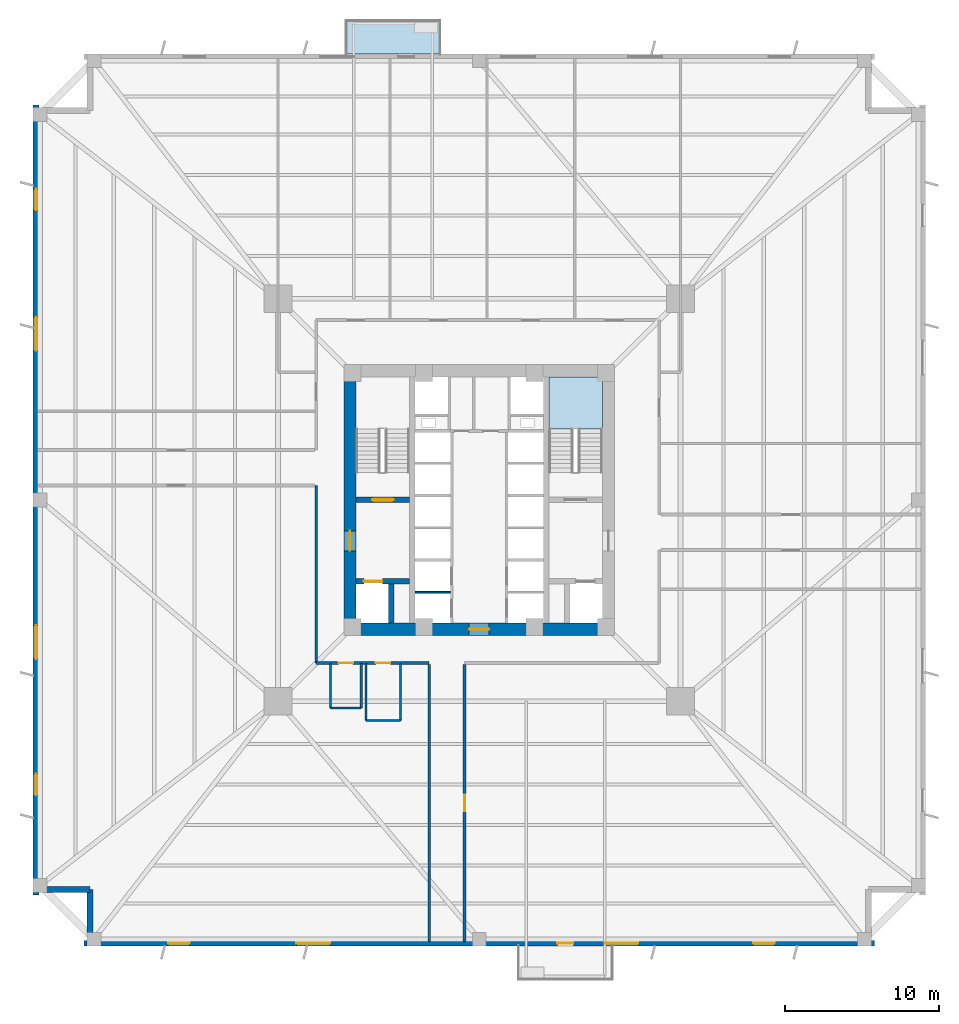
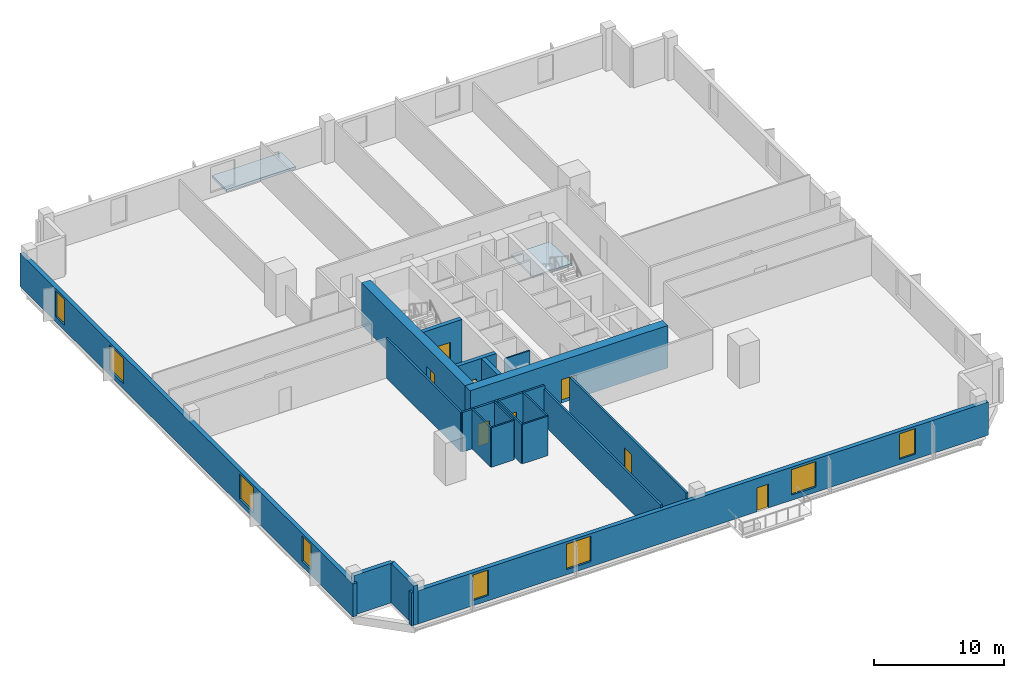
# One storey, part 2 of 8: 20 walls, 8 doors, 8 windows, 2 slabs, 16 openings, 1 element without a shape of its own.
"""IFC4 building model written with IfcOpenShell, lengths in metres."""

from ifc_helpers import new_model, si_unit, direction, frame, frame_2d, origin, place, context, subcontext, project, spatial, polyline, rectangle, outline, extrude, source, transform, mapped, material, layer, layer_set, type_object, element, fill, aggregate, save


model = new_model("IFC4")

# Units and contexts
model_context = context("Model", 3, precision=1e-05, world=origin(), true_north=direction((0.0, 1.0)))
body_context = subcontext(model_context, "Body", "Model", "MODEL_VIEW")
ifc_project = project(units=[si_unit("LENGTHUNIT", "METRE"), si_unit("AREAUNIT", "SQUARE_METRE"), si_unit("VOLUMEUNIT", "CUBIC_METRE"), si_unit("PLANEANGLEUNIT", "RADIAN"), si_unit("MASSUNIT", "GRAM", prefix="KILO"), si_unit("THERMODYNAMICTEMPERATUREUNIT", "KELVIN")], contexts=[model_context])

# Site, building, storey
site_placement = place(None, origin())
site = spatial("IfcSite", under=ifc_project, at=site_placement, CompositionType="ELEMENT")
building_placement = place(site_placement, origin())
building = spatial("IfcBuilding", under=site, at=building_placement, Name="Kosmvard Interchange Tower", CompositionType="ELEMENT")
storey_placement = place(building_placement, frame((0.0, 0.0, 38.0)))
storey = spatial("IfcBuildingStorey", under=building, at=storey_placement, Name="L08", CompositionType="ELEMENT", Elevation=38.0)

# Stair, slab
ifc_material_1 = material(Name="Concrete C50/60", Category="concrete")
stair_type = type_object("IfcStairType", Name="Dog-Leg Core Exit Stair H4000 C50/60", PredefinedType="HALF_TURN_STAIR", material=ifc_material_1)
stair_placement = place(storey_placement, origin())
stair = element("IfcStair", 1, at=stair_placement, inside=storey, type_object=stair_type, Name="L08 Protected Exit Stair ST-2", PredefinedType="HALF_TURN_STAIR")
ifc_layer_1 = layer(ifc_material_1, 0.199951171875, Name="Concrete C50/60")
ifc_layer_set_1 = layer_set([ifc_layer_1], Name="Concrete C50/60")
slab_type_1 = type_object("IfcSlabType", Name="Stair Half-Landing Slab 200 C50/60", PredefinedType="LANDING", material=ifc_layer_set_1)
slab_1_placement = place(storey_placement, frame((0.0, 0.0, 1.800048828125)))
slab_1 = element("IfcSlab", 2, at=slab_1_placement, type_object=slab_type_1, Name="ST-2 landing 1", PredefinedType="LANDING", context=body_context, shape_type="SweptSolid", body=[
    extrude(outline(polyline([(8.0, 4.60009765625), (8.0, 8.0), (4.5400390625, 8.0), (4.5400390625, 4.60009765625), (8.0, 4.60009765625)])), origin(), (0.0, 0.0, 1.0), 0.199951171875),
])
aggregate(stair, [slab_1])

# Slab
ifc_layer_2 = layer(ifc_material_1, 0.22998046875, Name="Concrete C50/60")
ifc_layer_set_2 = layer_set([ifc_layer_2], Name="Concrete C50/60")
slab_type_2 = type_object("IfcSlabType", Name="Tree-Planter Cantilever Balcony Slab 230 C50/60", PredefinedType="FLOOR", material=ifc_layer_set_2)
slab_2_placement = place(storey_placement, frame((0.0, 0.0, -0.22998046875)))
element("IfcSlab", 3, at=slab_2_placement, inside=storey, type_object=slab_type_2, Name="L08 Outdoor Terrace Balcony Slab BAL-L08-NE", PredefinedType="FLOOR", context=body_context, shape_type="SweptSolid", body=[
    extrude(outline(polyline([(-8.699951171875, 29.0), (-2.5, 29.0), (-2.5, 31.199951171875), (-8.699951171875, 31.199951171875), (-8.699951171875, 29.0)])), origin(), (0.0, 0.0, 1.0), 0.22998046875),
])

# Wall, openings, doors
ifc_material_2 = material(Name="Fire-rated gypsum partition system")
ifc_layer_3 = layer(ifc_material_2, 0.179931640625, Name="Fire-rated gypsum partition system")
ifc_layer_set_3 = layer_set([ifc_layer_3], Name="Fire-rated gypsum partition system")
wall_type_1 = type_object("IfcWallType", Name="Corridor & Hotel Compartment Partition 180", PredefinedType="PARTITIONING", material=ifc_layer_set_3)
wall_1_placement = place(storey_placement, frame((-10.60009765625, -10.60009765625, 0.0), z_axis=(0.0, 0.0, 1.0), x_axis=(1.0, 0.0, 0.0)))
wall_1 = element("IfcWall", 4, at=wall_1_placement, inside=storey, type_object=wall_type_1, Name="L08 Corridor Wall CSW", PredefinedType="PARTITIONING", context=body_context, shape_type="SweptSolid", body=[
    extrude(rectangle(XDim=7.35009765625, YDim=0.179931640625, at=frame_2d((3.675048828125, 0.0))), origin(), (0.0, 0.0, 1.0), 3.719970703125),
])
opening_1_placement = place(wall_1_placement, frame((1.455078125, 0.0, 0.0)))
opening_1 = element("IfcOpeningElement", 5, at=opening_1_placement, cuts=wall_1, Name="Opening L08-D01", PredefinedType="OPENING", context=body_context, shape_type="SweptSolid", body=[
    extrude(rectangle(XDim=0.949951171875, YDim=2.10009765625, at=frame_2d((0.47509765625, 1.050048828125))), frame((0.0, 0.10009765625, 0.0), z_axis=(0.0, -1.0, 0.0), x_axis=(1.0, 0.0, 0.0)), (0.0, 0.0, 1.0), 0.199951171875),
])
opening_2_placement = place(wall_1_placement, frame((3.879150390625, 0.0, 0.0)))
opening_2 = element("IfcOpeningElement", 6, at=opening_2_placement, cuts=wall_1, Name="Opening L08-D02", PredefinedType="OPENING", context=body_context, shape_type="SweptSolid", body=[
    extrude(rectangle(XDim=0.949951171875, YDim=2.10009765625, at=frame_2d((0.47509765625, 1.050048828125))), frame((0.0, 0.10009765625, 0.0), z_axis=(0.0, -1.0, 0.0), x_axis=(1.0, 0.0, 0.0)), (0.0, 0.0, 1.0), 0.199951171875),
])
ifc_material_3 = material(Name="Laminated moisture-resistant timber", Category="wood")
door_type_1 = type_object("IfcDoorType", Name="Accessible Washroom Door 950x2100", OperationType="NOTDEFINED", PredefinedType="DOOR", material=ifc_material_3)
shared_shape_1 = source(origin(), body_context, "Body", "SweptSolid", [
    extrude(rectangle(XDim=0.949951171875, YDim=2.10009765625, at=frame_2d((0.47509765625, 1.050048828125))), frame((0.0, 0.02490234375, 0.0), z_axis=(0.0, -1.0, 0.0), x_axis=(1.0, 0.0, 0.0)), (0.0, 0.0, 1.0), 0.050048828125),
])
door_1_placement = place(opening_1_placement, frame((0.949951171875, 0.0, 0.0), z_axis=(0.0, 0.0, 1.0), x_axis=(-1.0, 0.0, 0.0)))
door_1 = element("IfcDoor", 7, at=door_1_placement, inside=storey, type_object=door_type_1, Name="L08 Accessible Toilet Door", OperationType="SINGLE_SWING_LEFT", OverallHeight=2.10009765625, OverallWidth=0.949951171875, PredefinedType="DOOR", context=body_context, shape_type="MappedRepresentation", body=[
    mapped(shared_shape_1, transform((0.0, 0.0, 0.0), scale=1.0)),
])
fill(opening_1, door_1)
door_2_placement = place(opening_2_placement, frame((0.949951171875, 0.0, 0.0), z_axis=(0.0, 0.0, 1.0), x_axis=(-1.0, 0.0, 0.0)))
door_2 = element("IfcDoor", 8, at=door_2_placement, inside=storey, type_object=door_type_1, Name="L08 Public Floor Washroom Door", OperationType="SINGLE_SWING_RIGHT", OverallHeight=2.10009765625, OverallWidth=0.949951171875, PredefinedType="DOOR", context=body_context, shape_type="MappedRepresentation", body=[
    mapped(shared_shape_1, transform((0.0, 0.0, 0.0), scale=1.0)),
])
fill(opening_2, door_2)

# Walls
wall_2_placement = place(storey_placement, frame((-10.60009765625, -10.60009765625, 0.0), z_axis=(0.0, 0.0, 1.0), x_axis=(0.0, 1.0, 0.0)))
element("IfcWall", 9, at=wall_2_placement, inside=storey, type_object=wall_type_1, Name="L08 Corridor Wall CWS", PredefinedType="PARTITIONING", context=body_context, shape_type="SweptSolid", body=[
    extrude(rectangle(XDim=11.550048828125, YDim=0.179931640625, at=frame_2d((5.77490234375, 0.0))), origin(), (0.0, 0.0, 1.0), 3.719970703125),
])
wall_3_placement = place(storey_placement, frame((-3.25, -28.68505859375, 0.0), z_axis=(0.0, 0.0, 1.0), x_axis=(0.0, 1.0, 0.0)))
element("IfcWall", 10, at=wall_3_placement, inside=storey, type_object=wall_type_1, Name="L08 Corridor Wall SSW", PredefinedType="PARTITIONING", context=body_context, shape_type="SweptSolid", body=[
    extrude(rectangle(XDim=17.985107421875, YDim=0.179931640625, at=frame_2d((8.99267578125, 0.0))), origin(), (0.0, 0.0, 1.0), 3.389892578125),
])

# Wall, opening, door
wall_4_placement = place(storey_placement, frame((-0.949951171875, -28.68505859375, 0.0), z_axis=(0.0, 0.0, 1.0), x_axis=(0.0, 1.0, 0.0)))
wall_4 = element("IfcWall", 11, at=wall_4_placement, inside=storey, type_object=wall_type_1, Name="L08 Corridor Wall SSE", PredefinedType="PARTITIONING", context=body_context, shape_type="SweptSolid", body=[
    extrude(rectangle(XDim=17.985107421875, YDim=0.179931640625, at=frame_2d((8.99267578125, 0.0))), origin(), (0.0, 0.0, 1.0), 3.719970703125),
])
opening_3_placement = place(wall_4_placement, frame((8.4423828125, 0.0, 0.0)))
opening_3 = element("IfcOpeningElement", 12, at=opening_3_placement, cuts=wall_4, Name="Opening L08-D12", PredefinedType="OPENING", context=body_context, shape_type="SweptSolid", body=[
    extrude(rectangle(XDim=1.10009765625, YDim=2.199951171875, at=frame_2d((0.550048828125, 1.10009765625))), frame((0.0, 0.10009765625, 0.0), z_axis=(0.0, -1.0, 0.0), x_axis=(1.0, 0.0, 0.0)), (0.0, 0.0, 1.0), 0.199951171875),
])
ifc_material_4 = material(Name="Engineered oak fire-rated timber", Category="wood")
door_type_2 = type_object("IfcDoorType", Name="Office Suite Entrance Door 1100x2200 FD30S", OperationType="NOTDEFINED", PredefinedType="DOOR", material=ifc_material_4)
shared_shape_2 = source(origin(), body_context, "Body", "SweptSolid", [
    extrude(rectangle(XDim=1.10009765625, YDim=2.199951171875, at=frame_2d((0.550048828125, 1.10009765625))), frame((0.0, 0.02490234375, 0.0), z_axis=(0.0, -1.0, 0.0), x_axis=(1.0, 0.0, 0.0)), (0.0, 0.0, 1.0), 0.050048828125),
])
door_3_placement = place(opening_3_placement, frame((1.10009765625, 0.0, 0.0), z_axis=(0.0, 0.0, 1.0), x_axis=(-1.0, 0.0, 0.0)))
door_3 = element("IfcDoor", 13, at=door_3_placement, inside=storey, type_object=door_type_2, Name="L08 South-East Open Studio Door", OperationType="SINGLE_SWING_RIGHT", OverallHeight=2.199951171875, OverallWidth=1.10009765625, PredefinedType="DOOR", context=body_context, shape_type="MappedRepresentation", body=[
    mapped(shared_shape_2, transform((0.0, 0.0, 0.0), scale=1.0)),
])
fill(opening_3, door_3)

ifc_material_5 = material(Name="Concrete C80/95", Category="concrete")
ifc_layer_4 = layer(ifc_material_5, 0.800048828125, Name="Concrete C80/95")
ifc_layer_set_4 = layer_set([ifc_layer_4], Name="Concrete C80/95")
wall_type_2 = type_object("IfcWallType", Name="Lower Core Shear Wall 800 C80/95", PredefinedType="SHEAR", material=ifc_layer_set_4)
wall_5_placement = place(storey_placement, frame((-8.800048828125, -8.39990234375, 0.0), z_axis=(0.0, 0.0, 1.0), x_axis=(1.0, 0.0, 0.0)))
wall_5 = element("IfcWall", 14, at=wall_5_placement, inside=storey, type_object=wall_type_2, Name="L08 Core Shear Wall CW-S", PredefinedType="SHEAR", context=body_context, shape_type="SweptSolid", body=[
    extrude(rectangle(XDim=17.60009765625, YDim=0.800048828125, at=frame_2d((8.800048828125, 0.0))), origin(), (0.0, 0.0, 1.0), 4.0),
])
opening_4_placement = place(wall_5_placement, frame((8.14990234375, 0.0, 0.0)))
opening_4 = element("IfcOpeningElement", 15, at=opening_4_placement, cuts=wall_5, Name="Opening L08-LD0", PredefinedType="OPENING", context=body_context, shape_type="SweptSolid", body=[
    extrude(rectangle(XDim=1.300048828125, YDim=2.199951171875, at=frame_2d((0.64990234375, 1.10009765625))), frame((0.0, 0.41015625, 0.0), z_axis=(0.0, -1.0, 0.0), x_axis=(1.0, 0.0, 0.0)), (0.0, 0.0, 1.0), 0.820068359375),
])
ifc_material_6 = material(Name="Painted fire-rated steel leaf", Category="steel")
door_type_3 = type_object("IfcDoorType", Name="Firefighting Lobby Door 1300x2200 EI60", OperationType="NOTDEFINED", PredefinedType="DOOR", material=ifc_material_6)
shared_shape_3 = source(origin(), body_context, "Body", "SweptSolid", [
    extrude(rectangle(XDim=1.300048828125, YDim=2.199951171875, at=frame_2d((0.64990234375, 1.10009765625))), frame((0.0, 0.02490234375, 0.0), z_axis=(0.0, -1.0, 0.0), x_axis=(1.0, 0.0, 0.0)), (0.0, 0.0, 1.0), 0.050048828125),
])
door_4_placement = place(opening_4_placement, frame((1.300048828125, 0.0, 0.0), z_axis=(0.0, 0.0, 1.0), x_axis=(-1.0, 0.0, 0.0)))
door_4 = element("IfcDoor", 16, at=door_4_placement, inside=storey, type_object=door_type_3, Name="L08 Passenger Lift Lobby South Door", OperationType="SINGLE_SWING_LEFT", OverallHeight=2.199951171875, OverallWidth=1.300048828125, PredefinedType="DOOR", context=body_context, shape_type="MappedRepresentation", body=[
    mapped(shared_shape_3, transform((0.0, 0.0, 0.0), scale=1.0)),
])
fill(opening_4, door_4)

wall_6_placement = place(storey_placement, frame((-8.39990234375, -8.0, 0.0), z_axis=(0.0, 0.0, 1.0), x_axis=(0.0, 1.0, 0.0)))
wall_6 = element("IfcWall", 17, at=wall_6_placement, inside=storey, type_object=wall_type_2, Name="L08 Core Shear Wall CW-W", PredefinedType="SHEAR", context=body_context, shape_type="SweptSolid", body=[
    extrude(rectangle(XDim=16.0, YDim=0.800048828125, at=frame_2d((8.0, 0.0))), origin(), (0.0, 0.0, 1.0), 4.0),
])
opening_5_placement = place(wall_6_placement, frame((4.68994140625, 0.0, 0.0)))
opening_5 = element("IfcOpeningElement", 18, at=opening_5_placement, cuts=wall_6, Name="Opening L08-FD1", PredefinedType="OPENING", context=body_context, shape_type="SweptSolid", body=[
    extrude(rectangle(XDim=1.300048828125, YDim=2.199951171875, at=frame_2d((0.64990234375, 1.10009765625))), frame((0.0, 0.41015625, 0.0), z_axis=(0.0, -1.0, 0.0), x_axis=(1.0, 0.0, 0.0)), (0.0, 0.0, 1.0), 0.820068359375),
])
door_5_placement = place(opening_5_placement, frame((1.300048828125, 0.0, 0.0), z_axis=(0.0, 0.0, 1.0), x_axis=(-1.0, 0.0, 0.0)))
door_5 = element("IfcDoor", 19, at=door_5_placement, inside=storey, type_object=door_type_3, Name="L08 Firefighting Lobby West Door", OperationType="SINGLE_SWING_LEFT", OverallHeight=2.199951171875, OverallWidth=1.300048828125, PredefinedType="DOOR", context=body_context, shape_type="MappedRepresentation", body=[
    mapped(shared_shape_3, transform((0.0, 0.0, 0.0), scale=1.0)),
])
fill(opening_5, door_5)

# Wall, openings, door, windows
ifc_material_7 = material(Name="Precast concrete C45/55", Category="concrete")
ifc_layer_5 = layer(ifc_material_7, 0.3798828125, Name="Precast concrete C45/55")
ifc_layer_set_5 = layer_set([ifc_layer_5], Name="Precast concrete C45/55")
wall_type_3 = type_object("IfcWallType", Name="Lower Tower Precast Pier Wall 380 C45/55", PredefinedType="STANDARD", material=ifc_layer_set_5)
wall_7_placement = place(storey_placement, frame((-25.68994140625, -28.81005859375, 0.0), z_axis=(0.0, 0.0, 1.0), x_axis=(1.0, 0.0, 0.0)))
wall_7 = element("IfcWall", 20, at=wall_7_placement, inside=storey, type_object=wall_type_3, Name="L08 Precast Facade Wall F-S", PredefinedType="STANDARD", context=body_context, shape_type="SweptSolid", body=[
    extrude(rectangle(XDim=51.3798828125, YDim=0.3798828125, at=frame_2d((25.68994140625, 0.0))), origin(), (0.0, 0.0, 1.0), 3.1201171875),
])
opening_6_placement = place(wall_7_placement, frame((30.764892578125, 0.0, 0.0)))
opening_6 = element("IfcOpeningElement", 21, at=opening_6_placement, cuts=wall_7, Name="Opening L08-BDW", PredefinedType="OPENING", context=body_context, shape_type="SweptSolid", body=[
    extrude(rectangle(XDim=1.050048828125, YDim=2.25, at=frame_2d((0.52490234375, 1.125))), frame((0.0, 0.199951171875, 0.0), z_axis=(0.0, -1.0, 0.0), x_axis=(1.0, 0.0, 0.0)), (0.0, 0.0, 1.0), 0.39990234375),
])
opening_7_placement = place(wall_7_placement, frame((5.465576171875, 0.0, 0.489990234375)))
opening_7 = element("IfcOpeningElement", 22, at=opening_7_placement, cuts=wall_7, Name="Opening L08-W01", PredefinedType="OPENING", context=body_context, shape_type="SweptSolid", body=[
    extrude(rectangle(XDim=1.39990234375, YDim=2.39990234375, at=frame_2d((0.699951171875, 1.199951171875))), frame((0.0, 0.199951171875, 0.0), z_axis=(0.0, -1.0, 0.0), x_axis=(1.0, 0.0, 0.0)), (0.0, 0.0, 1.0), 0.39990234375),
])
opening_8_placement = place(wall_7_placement, frame((13.80029296875, 0.0, 0.489990234375)))
opening_8 = element("IfcOpeningElement", 23, at=opening_8_placement, cuts=wall_7, Name="Opening L08-W02", PredefinedType="OPENING", context=body_context, shape_type="SweptSolid", body=[
    extrude(rectangle(XDim=2.199951171875, YDim=2.39990234375, at=frame_2d((1.10009765625, 1.199951171875))), frame((0.0, 0.199951171875, 0.0), z_axis=(0.0, -1.0, 0.0), x_axis=(1.0, 0.0, 0.0)), (0.0, 0.0, 1.0), 0.39990234375),
])
opening_9_placement = place(wall_7_placement, frame((33.83837890625, 0.0, 0.489990234375)))
opening_9 = element("IfcOpeningElement", 24, at=opening_9_placement, cuts=wall_7, Name="Opening L08-W03", PredefinedType="OPENING", context=body_context, shape_type="SweptSolid", body=[
    extrude(rectangle(XDim=2.199951171875, YDim=2.39990234375, at=frame_2d((1.10009765625, 1.199951171875))), frame((0.0, 0.199951171875, 0.0), z_axis=(0.0, -1.0, 0.0), x_axis=(1.0, 0.0, 0.0)), (0.0, 0.0, 1.0), 0.39990234375),
])
opening_10_placement = place(wall_7_placement, frame((43.48681640625, 0.0, 0.489990234375)))
opening_10 = element("IfcOpeningElement", 25, at=opening_10_placement, cuts=wall_7, Name="Opening L08-W04", PredefinedType="OPENING", context=body_context, shape_type="SweptSolid", body=[
    extrude(rectangle(XDim=1.39990234375, YDim=2.39990234375, at=frame_2d((0.699951171875, 1.199951171875))), frame((0.0, 0.199951171875, 0.0), z_axis=(0.0, -1.0, 0.0), x_axis=(1.0, 0.0, 0.0)), (0.0, 0.0, 1.0), 0.39990234375),
])
ifc_material_8 = material(Name="Anodised aluminium and safety glass", Category="aluminium")
door_type_4 = type_object("IfcDoorType", Name="Tree-Balcony Glazed Door 1050x2250", OperationType="NOTDEFINED", PredefinedType="DOOR", material=ifc_material_8)
shared_shape_4 = source(origin(), body_context, "Body", "SweptSolid", [
    extrude(rectangle(XDim=1.050048828125, YDim=2.25, at=frame_2d((0.52490234375, 1.125))), frame((0.0, 0.02490234375, 0.0), z_axis=(0.0, -1.0, 0.0), x_axis=(1.0, 0.0, 0.0)), (0.0, 0.0, 1.0), 0.050048828125),
])
door_6_placement = place(opening_6_placement, origin())
door_6 = element("IfcDoor", 26, at=door_6_placement, inside=storey, type_object=door_type_4, Name="L08 Tree-Balcony Door BAL-L08-SW", OperationType="SINGLE_SWING_LEFT", OverallHeight=2.25, OverallWidth=1.050048828125, PredefinedType="DOOR", context=body_context, shape_type="MappedRepresentation", body=[
    mapped(shared_shape_4, transform((0.0, 0.0, 0.0), scale=1.0)),
])
fill(opening_6, door_6)
ifc_material_9 = material(Name="Low-E solar-control double glazing", Category="glass")
window_type_1 = type_object("IfcWindowType", Name="Notched Corner Feature Window 1400x2400", PartitioningType="SINGLE_PANEL", PredefinedType="WINDOW", material=ifc_material_9)
shared_shape_5 = source(origin(), body_context, "Body", "SweptSolid", [
    extrude(rectangle(XDim=1.39990234375, YDim=2.39990234375, at=frame_2d((0.699951171875, 1.199951171875))), frame((0.0, 0.030029296875, 0.0), z_axis=(0.0, -1.0, 0.0), x_axis=(1.0, 0.0, 0.0)), (0.0, 0.0, 1.0), 0.06005859375),
])
window_1_placement = place(opening_7_placement, origin())
window_1 = element("IfcWindow", 27, at=window_1_placement, inside=storey, type_object=window_type_1, Name="L08 Facade Punched Window 01", OverallHeight=2.39990234375, OverallWidth=1.39990234375, PartitioningType="SINGLE_PANEL", PredefinedType="WINDOW", context=body_context, shape_type="MappedRepresentation", body=[
    mapped(shared_shape_5, transform((0.0, 0.0, 0.0), scale=1.0)),
])
fill(opening_7, window_1)
window_2_placement = place(opening_10_placement, origin())
window_2 = element("IfcWindow", 28, at=window_2_placement, inside=storey, type_object=window_type_1, Name="L08 Facade Punched Window 04", OverallHeight=2.39990234375, OverallWidth=1.39990234375, PartitioningType="SINGLE_PANEL", PredefinedType="WINDOW", context=body_context, shape_type="MappedRepresentation", body=[
    mapped(shared_shape_5, transform((0.0, 0.0, 0.0), scale=1.0)),
])
fill(opening_10, window_2)
window_type_2 = type_object("IfcWindowType", Name="Zone 1 Office Punched Window 2200x2400", PartitioningType="SINGLE_PANEL", PredefinedType="WINDOW", material=ifc_material_9)
shared_shape_6 = source(origin(), body_context, "Body", "SweptSolid", [
    extrude(rectangle(XDim=2.199951171875, YDim=2.39990234375, at=frame_2d((1.10009765625, 1.199951171875))), frame((0.0, 0.030029296875, 0.0), z_axis=(0.0, -1.0, 0.0), x_axis=(1.0, 0.0, 0.0)), (0.0, 0.0, 1.0), 0.06005859375),
])
window_3_placement = place(opening_8_placement, origin())
window_3 = element("IfcWindow", 29, at=window_3_placement, inside=storey, type_object=window_type_2, Name="L08 Facade Punched Window 02", OverallHeight=2.39990234375, OverallWidth=2.199951171875, PartitioningType="SINGLE_PANEL", PredefinedType="WINDOW", context=body_context, shape_type="MappedRepresentation", body=[
    mapped(shared_shape_6, transform((0.0, 0.0, 0.0), scale=1.0)),
])
fill(opening_8, window_3)
window_4_placement = place(opening_9_placement, origin())
window_4 = element("IfcWindow", 30, at=window_4_placement, inside=storey, type_object=window_type_2, Name="L08 Facade Punched Window 03", OverallHeight=2.39990234375, OverallWidth=2.199951171875, PartitioningType="SINGLE_PANEL", PredefinedType="WINDOW", context=body_context, shape_type="MappedRepresentation", body=[
    mapped(shared_shape_6, transform((0.0, 0.0, 0.0), scale=1.0)),
])
fill(opening_9, window_4)

# Wall, openings, windows
wall_8_placement = place(storey_placement, frame((-28.81005859375, 25.68994140625, 0.0), z_axis=(0.0, 0.0, 1.0), x_axis=(0.0, -1.0, 0.0)))
wall_8 = element("IfcWall", 31, at=wall_8_placement, inside=storey, type_object=wall_type_3, Name="L08 Precast Facade Wall F-W", PredefinedType="STANDARD", context=body_context, shape_type="SweptSolid", body=[
    extrude(rectangle(XDim=51.3798828125, YDim=0.3798828125, at=frame_2d((25.68994140625, 0.0))), origin(), (0.0, 0.0, 1.0), 3.1201171875),
])
opening_11_placement = place(wall_8_placement, frame((5.465576171875, 0.0, 0.489990234375)))
opening_11 = element("IfcOpeningElement", 32, at=opening_11_placement, cuts=wall_8, Name="Opening L08-W14", PredefinedType="OPENING", context=body_context, shape_type="SweptSolid", body=[
    extrude(rectangle(XDim=1.39990234375, YDim=2.39990234375, at=frame_2d((0.699951171875, 1.199951171875))), frame((0.0, 0.199951171875, 0.0), z_axis=(0.0, -1.0, 0.0), x_axis=(1.0, 0.0, 0.0)), (0.0, 0.0, 1.0), 0.39990234375),
])
opening_12_placement = place(wall_8_placement, frame((13.80029296875, 0.0, 0.489990234375)))
opening_12 = element("IfcOpeningElement", 33, at=opening_12_placement, cuts=wall_8, Name="Opening L08-W15", PredefinedType="OPENING", context=body_context, shape_type="SweptSolid", body=[
    extrude(rectangle(XDim=2.199951171875, YDim=2.39990234375, at=frame_2d((1.10009765625, 1.199951171875))), frame((0.0, 0.199951171875, 0.0), z_axis=(0.0, -1.0, 0.0), x_axis=(1.0, 0.0, 0.0)), (0.0, 0.0, 1.0), 0.39990234375),
])
opening_13_placement = place(wall_8_placement, frame((33.83837890625, 0.0, 0.489990234375)))
opening_13 = element("IfcOpeningElement", 34, at=opening_13_placement, cuts=wall_8, Name="Opening L08-W16", PredefinedType="OPENING", context=body_context, shape_type="SweptSolid", body=[
    extrude(rectangle(XDim=2.199951171875, YDim=2.39990234375, at=frame_2d((1.10009765625, 1.199951171875))), frame((0.0, 0.199951171875, 0.0), z_axis=(0.0, -1.0, 0.0), x_axis=(1.0, 0.0, 0.0)), (0.0, 0.0, 1.0), 0.39990234375),
])
opening_14_placement = place(wall_8_placement, frame((43.48681640625, 0.0, 0.489990234375)))
opening_14 = element("IfcOpeningElement", 35, at=opening_14_placement, cuts=wall_8, Name="Opening L08-W17", PredefinedType="OPENING", context=body_context, shape_type="SweptSolid", body=[
    extrude(rectangle(XDim=1.39990234375, YDim=2.39990234375, at=frame_2d((0.699951171875, 1.199951171875))), frame((0.0, 0.199951171875, 0.0), z_axis=(0.0, -1.0, 0.0), x_axis=(1.0, 0.0, 0.0)), (0.0, 0.0, 1.0), 0.39990234375),
])
window_5_placement = place(opening_11_placement, origin())
window_5 = element("IfcWindow", 36, at=window_5_placement, inside=storey, type_object=window_type_1, Name="L08 Facade Punched Window 14", OverallHeight=2.39990234375, OverallWidth=1.39990234375, PartitioningType="SINGLE_PANEL", PredefinedType="WINDOW", context=body_context, shape_type="MappedRepresentation", body=[
    mapped(shared_shape_5, transform((0.0, 0.0, 0.0), scale=1.0)),
])
fill(opening_11, window_5)
window_6_placement = place(opening_14_placement, origin())
window_6 = element("IfcWindow", 37, at=window_6_placement, inside=storey, type_object=window_type_1, Name="L08 Facade Punched Window 17", OverallHeight=2.39990234375, OverallWidth=1.39990234375, PartitioningType="SINGLE_PANEL", PredefinedType="WINDOW", context=body_context, shape_type="MappedRepresentation", body=[
    mapped(shared_shape_5, transform((0.0, 0.0, 0.0), scale=1.0)),
])
fill(opening_14, window_6)
window_7_placement = place(opening_12_placement, origin())
window_7 = element("IfcWindow", 38, at=window_7_placement, inside=storey, type_object=window_type_2, Name="L08 Facade Punched Window 15", OverallHeight=2.39990234375, OverallWidth=2.199951171875, PartitioningType="SINGLE_PANEL", PredefinedType="WINDOW", context=body_context, shape_type="MappedRepresentation", body=[
    mapped(shared_shape_6, transform((0.0, 0.0, 0.0), scale=1.0)),
])
fill(opening_12, window_7)
window_8_placement = place(opening_13_placement, origin())
window_8 = element("IfcWindow", 39, at=window_8_placement, inside=storey, type_object=window_type_2, Name="L08 Facade Punched Window 16", OverallHeight=2.39990234375, OverallWidth=2.199951171875, PartitioningType="SINGLE_PANEL", PredefinedType="WINDOW", context=body_context, shape_type="MappedRepresentation", body=[
    mapped(shared_shape_6, transform((0.0, 0.0, 0.0), scale=1.0)),
])
fill(opening_13, window_8)

# Walls
wall_9_placement = place(storey_placement, frame((-28.81005859375, -25.31005859375, 0.0), z_axis=(0.0, 0.0, 1.0), x_axis=(1.0, 0.0, 0.0)))
element("IfcWall", 40, at=wall_9_placement, inside=storey, type_object=wall_type_3, Name="L08 Precast Facade Wall N-SW1", PredefinedType="STANDARD", context=body_context, shape_type="SweptSolid", body=[
    extrude(rectangle(XDim=3.5, YDim=0.3798828125, at=frame_2d((1.75, 0.0))), origin(), (0.0, 0.0, 1.0), 3.719970703125),
])
wall_10_placement = place(storey_placement, frame((-25.31005859375, -25.31005859375, 0.0), z_axis=(0.0, 0.0, 1.0), x_axis=(0.0, -1.0, 0.0)))
element("IfcWall", 41, at=wall_10_placement, inside=storey, type_object=wall_type_3, Name="L08 Precast Facade Wall N-SW2", PredefinedType="STANDARD", context=body_context, shape_type="SweptSolid", body=[
    extrude(rectangle(XDim=3.68994140625, YDim=0.3798828125, at=frame_2d((1.844970703125, 0.0))), origin(), (0.0, 0.0, 1.0), 3.719970703125),
])
ifc_material_10 = material(Name="Fire-rated gypsum shaftwall system")
ifc_layer_6 = layer(ifc_material_10, 0.1201171875, Name="Fire-rated gypsum shaftwall system")
ifc_layer_set_6 = layer_set([ifc_layer_6], Name="Fire-rated gypsum shaftwall system")
wall_type_4 = type_object("IfcWallType", Name="Shaft & Riser Fire Partition 120 EI60", PredefinedType="PARTITIONING", material=ifc_layer_set_6)
wall_11_placement = place(storey_placement, frame((-4.159912109375, -6.0, 0.0), z_axis=(0.0, 0.0, 1.0), x_axis=(1.0, 0.0, 0.0)))
element("IfcWall", 42, at=wall_11_placement, inside=storey, type_object=wall_type_4, Name="L08 Shaft Divider PL-L1", PredefinedType="PARTITIONING", context=body_context, shape_type="SweptSolid", body=[
    extrude(rectangle(XDim=2.260009765625, YDim=0.1201171875, at=frame_2d((1.1298828125, 0.0))), origin(), (0.0, 0.0, 1.0), 3.719970703125),
])

# Wall, opening, door
ifc_material_11 = material(Name="Concrete C60/75", Category="concrete")
ifc_layer_7 = layer(ifc_material_11, 0.360107421875, Name="Concrete C60/75")
ifc_layer_set_7 = layer_set([ifc_layer_7], Name="Concrete C60/75")
wall_type_5 = type_object("IfcWallType", Name="Stair & Lift Shaft Shear Wall 360 C60/75", PredefinedType="SHEAR", material=ifc_layer_set_7)
wall_12_placement = place(storey_placement, frame((-8.0, 0.02001953125, 0.0), z_axis=(0.0, 0.0, 1.0), x_axis=(1.0, 0.0, 0.0)))
wall_12 = element("IfcWall", 43, at=wall_12_placement, inside=storey, type_object=wall_type_5, Name="L08 Shaft Shear Wall SW-ST1", PredefinedType="SHEAR", context=body_context, shape_type="SweptSolid", body=[
    extrude(rectangle(XDim=3.4599609375, YDim=0.360107421875, at=frame_2d((1.72998046875, 0.0))), origin(), (0.0, 0.0, 1.0), 4.0),
])
opening_15_placement = place(wall_12_placement, frame((1.030029296875, 0.0, 0.0)))
opening_15 = element("IfcOpeningElement", 44, at=opening_15_placement, cuts=wall_12, Name="Opening L08-SD1", PredefinedType="OPENING", context=body_context, shape_type="SweptSolid", body=[
    extrude(rectangle(XDim=1.39990234375, YDim=2.199951171875, at=frame_2d((0.699951171875, 1.10009765625))), frame((0.0, 0.18994140625, 0.0), z_axis=(0.0, -1.0, 0.0), x_axis=(1.0, 0.0, 0.0)), (0.0, 0.0, 1.0), 0.380126953125),
])
door_type_5 = type_object("IfcDoorType", Name="Protected Stair Door 1400x2200 FD60S", OperationType="NOTDEFINED", PredefinedType="DOOR", material=ifc_material_6)
shared_shape_7 = source(origin(), body_context, "Body", "SweptSolid", [
    extrude(rectangle(XDim=1.39990234375, YDim=2.199951171875, at=frame_2d((0.699951171875, 1.10009765625))), frame((0.0, 0.02490234375, 0.0), z_axis=(0.0, -1.0, 0.0), x_axis=(1.0, 0.0, 0.0)), (0.0, 0.0, 1.0), 0.050048828125),
])
door_7_placement = place(opening_15_placement, origin())
door_7 = element("IfcDoor", 45, at=door_7_placement, inside=storey, type_object=door_type_5, Name="L08 Stair ST-1 Enclosure Door", OperationType="SINGLE_SWING_LEFT", OverallHeight=2.199951171875, OverallWidth=1.39990234375, PredefinedType="DOOR", context=body_context, shape_type="MappedRepresentation", body=[
    mapped(shared_shape_7, transform((0.0, 0.0, 0.0), scale=1.0)),
])
fill(opening_15, door_7)

wall_13_placement = place(storey_placement, frame((-8.0, -5.280029296875, 0.0), z_axis=(0.0, 0.0, 1.0), x_axis=(1.0, 0.0, 0.0)))
wall_13 = element("IfcWall", 46, at=wall_13_placement, inside=storey, type_object=wall_type_5, Name="L08 Shaft Shear Wall SW-FF1", PredefinedType="SHEAR", context=body_context, shape_type="SweptSolid", body=[
    extrude(rectangle(XDim=3.4599609375, YDim=0.360107421875, at=frame_2d((1.72998046875, 0.0))), origin(), (0.0, 0.0, 1.0), 4.0),
])
opening_16_placement = place(wall_13_placement, frame((0.5, 0.0, 0.0)))
opening_16 = element("IfcOpeningElement", 47, at=opening_16_placement, cuts=wall_13, Name="Opening LD-FF-1-L08", PredefinedType="OPENING", context=body_context, shape_type="SweptSolid", body=[
    extrude(rectangle(XDim=1.199951171875, YDim=2.25, at=frame_2d((0.60009765625, 1.125))), frame((0.0, 0.18994140625, 0.0), z_axis=(0.0, -1.0, 0.0), x_axis=(1.0, 0.0, 0.0)), (0.0, 0.0, 1.0), 0.380126953125),
])
ifc_material_12 = material(Name="Brushed stainless steel sliding leaf", Category="steel")
door_type_6 = type_object("IfcDoorType", Name="Firefighting Lift Sliding Landing Door 1200x2250 EI120", OperationType="DOUBLE_DOOR_SLIDING", PredefinedType="DOOR", material=ifc_material_12)
shared_shape_8 = source(origin(), body_context, "Body", "SweptSolid", [
    extrude(rectangle(XDim=1.199951171875, YDim=2.25, at=frame_2d((0.60009765625, 1.125))), frame((0.0, 0.02490234375, 0.0), z_axis=(0.0, -1.0, 0.0), x_axis=(1.0, 0.0, 0.0)), (0.0, 0.0, 1.0), 0.050048828125),
])
door_8_placement = place(opening_16_placement, origin())
door_8 = element("IfcDoor", 48, at=door_8_placement, inside=storey, type_object=door_type_6, Name="Lift FF-1 Landing Door L08", OperationType="DOUBLE_DOOR_SLIDING", OverallHeight=2.25, OverallWidth=1.199951171875, PredefinedType="DOOR", context=body_context, shape_type="MappedRepresentation", body=[
    mapped(shared_shape_8, transform((0.0, 0.0, 0.0), scale=1.0)),
])
fill(opening_16, door_8)

# Walls
wall_14_placement = place(storey_placement, frame((-5.7099609375, -8.0, 0.0), z_axis=(0.0, 0.0, 1.0), x_axis=(0.0, 1.0, 0.0)))
element("IfcWall", 49, at=wall_14_placement, inside=storey, type_object=wall_type_5, Name="L08 Shaft Shear Wall SW-SM1", PredefinedType="SHEAR", context=body_context, shape_type="SweptSolid", body=[
    extrude(rectangle(XDim=2.5400390625, YDim=0.360107421875, at=frame_2d((1.27001953125, 0.0))), origin(), (0.0, 0.0, 1.0), 4.0),
])
ifc_material_13 = material(Name="Moisture-resistant gypsum partition")
ifc_layer_8 = layer(ifc_material_13, 0.135009765625, Name="Moisture-resistant gypsum partition")
ifc_layer_set_8 = layer_set([ifc_layer_8], Name="Moisture-resistant gypsum partition")
wall_type_6 = type_object("IfcWallType", Name="Wet Room Moisture-Resistant Partition 135", PredefinedType="PARTITIONING", material=ifc_layer_set_8)
wall_15_placement = place(storey_placement, frame((-9.669921875, -13.52001953125, 0.0), z_axis=(0.0, 0.0, 1.0), x_axis=(1.0, 0.0, 0.0)))
element("IfcWall", 50, at=wall_15_placement, inside=storey, type_object=wall_type_6, Name="L08 Washroom Partition AWC1-S", PredefinedType="PARTITIONING", context=body_context, shape_type="SweptSolid", body=[
    extrude(rectangle(XDim=2.0, YDim=0.135009765625, at=frame_2d((1.0, 0.0))), origin(), (0.0, 0.0, 1.0), 3.719970703125),
])
for number, where, z_axis, x_axis, name in (
    (51, (-7.669921875, -13.52001953125, 0.0), (0.0, 0.0, 1.0), (0.0, 1.0, 0.0), "L08 Washroom Partition AWC1-E"),
    (52, (-9.669921875, -13.52001953125, 0.0), (0.0, 0.0, 1.0), (0.0, 1.0, 0.0), "L08 Washroom Partition AWC1-W"),
):
    element("IfcWall", number, at=place(storey_placement, frame(where, z_axis=z_axis, x_axis=x_axis)), inside=storey, type_object=wall_type_6, Name=name, PredefinedType="PARTITIONING", context=body_context, shape_type="SweptSolid", body=[
        extrude(rectangle(XDim=2.89990234375, YDim=0.135009765625, at=frame_2d((1.449951171875, 0.0))), origin(), (0.0, 0.0, 1.0), 3.719970703125),
    ])
wall_16_placement = place(storey_placement, frame((-7.370849609375, -14.320068359375, 0.0), z_axis=(0.0, 0.0, 1.0), x_axis=(1.0, 0.0, 0.0)))
element("IfcWall", 53, at=wall_16_placement, inside=storey, type_object=wall_type_6, Name="L08 Washroom Partition WC1-S", PredefinedType="PARTITIONING", context=body_context, shape_type="SweptSolid", body=[
    extrude(rectangle(XDim=2.25, YDim=0.135009765625, at=frame_2d((1.125, 0.0))), origin(), (0.0, 0.0, 1.0), 3.719970703125),
])
for number, where, z_axis, x_axis, name in (
    (54, (-5.120849609375, -14.320068359375, 0.0), (0.0, 0.0, 1.0), (0.0, 1.0, 0.0), "L08 Washroom Partition WC1-E"),
    (55, (-7.370849609375, -14.320068359375, 0.0), (0.0, 0.0, 1.0), (0.0, 1.0, 0.0), "L08 Washroom Partition WC1-W"),
):
    element("IfcWall", number, at=place(storey_placement, frame(where, z_axis=z_axis, x_axis=x_axis)), inside=storey, type_object=wall_type_6, Name=name, PredefinedType="PARTITIONING", context=body_context, shape_type="SweptSolid", body=[
        extrude(rectangle(XDim=3.699951171875, YDim=0.135009765625, at=frame_2d((1.85009765625, 0.0))), origin(), (0.0, 0.0, 1.0), 3.719970703125),
    ])

save(model, "model.ifc")
